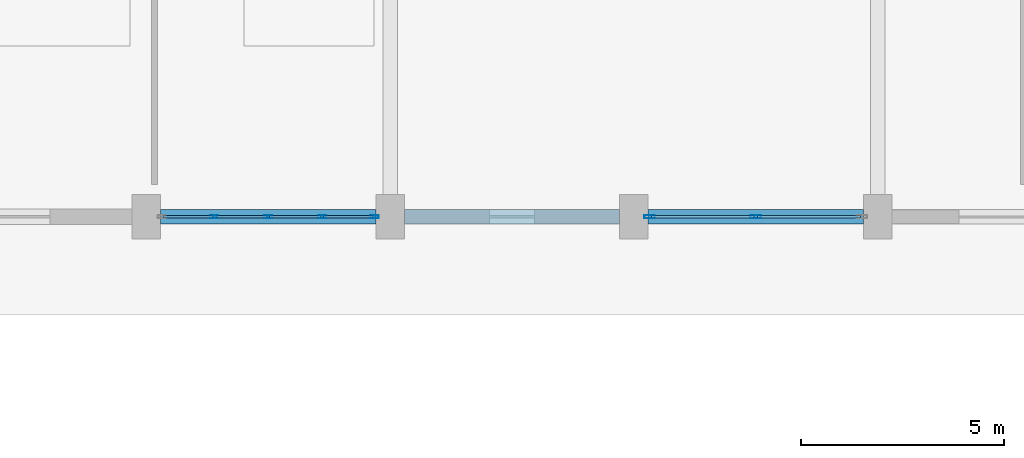
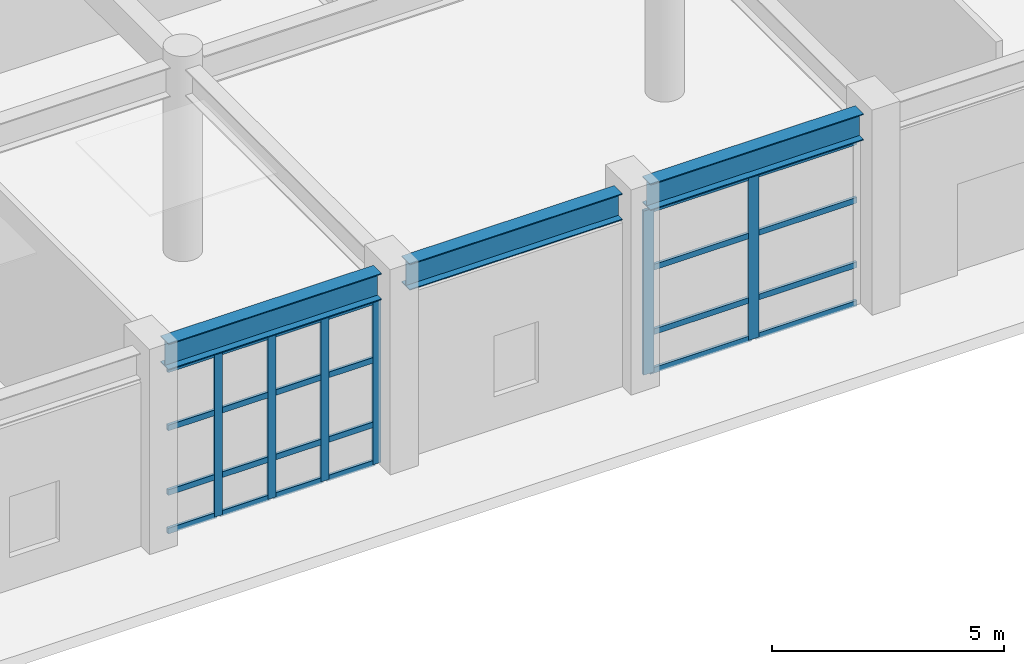
# One storey, part 15 of 91: 30 members, 3 beams, 2 elements without a shape of their own.
"""IFC4 building model written with IfcOpenShell, lengths in metres."""

from ifc_helpers import new_model, si_unit, direction, frame, origin, origin_2d, place, context, subcontext, project, spatial, hollow_rectangle, i_section, extrude, material, layer, layer_set, material_profile, profile_set, type_object, element, aggregate, save


model = new_model("IFC4")

# Units and contexts
model_context = context("Model", 3, precision=1e-05, world=origin(), true_north=direction((0.0, 1.0)))
body_context = subcontext(model_context, "Body", "Model", "MODEL_VIEW")
ifc_project = project(units=[si_unit("LENGTHUNIT", "METRE"), si_unit("AREAUNIT", "SQUARE_METRE"), si_unit("VOLUMEUNIT", "CUBIC_METRE"), si_unit("PLANEANGLEUNIT", "RADIAN"), si_unit("MASSUNIT", "GRAM", prefix="KILO")], contexts=[model_context])

# Site, building, storey
site_placement = place(None, origin())
site = spatial("IfcSite", under=ifc_project, at=site_placement, CompositionType="ELEMENT")
building_placement = place(site_placement, origin())
building = spatial("IfcBuilding", under=site, at=building_placement, Name="Vaelkrest Opera House", CompositionType="ELEMENT")
storey_placement = place(building_placement, origin())
storey = spatial("IfcBuildingStorey", under=building, at=storey_placement, Name="L00", CompositionType="ELEMENT", Elevation=0.0)

# Curtain wall, members
ifc_material_1 = material(Name="Dark bronze anodized aluminium", Category="aluminium")
ifc_layer_1 = layer(ifc_material_1, 0.18994140625)
ifc_layer_set_1 = layer_set([ifc_layer_1], Name="Dark bronze anodized aluminium")
curtain_wall_type_1 = type_object("IfcCurtainWallType", Name="CW02", PredefinedType="NOTDEFINED", material=ifc_layer_set_1)
curtain_wall_1_placement = place(storey_placement, origin())
curtain_wall_1 = element("IfcCurtainWall", 1, at=curtain_wall_1_placement, inside=storey, type_object=curtain_wall_type_1, Name="Curtain wall CW-L00-013", PredefinedType="NOTDEFINED")
ifc_material_profile_1 = material_profile(ifc_material_1, hollow_rectangle(XDim=0.070068359375, YDim=0.199951171875, WallThickness=0.004150390625, at=origin_2d()), Name="CWM70X200")
ifc_profile_set_1 = profile_set([ifc_material_profile_1], Name="Dark bronze anodized aluminium")
member_type_1 = type_object("IfcMemberType", Name="CWM02", PredefinedType="MULLION", material=ifc_profile_set_1)
member_1_placement = place(storey_placement, frame((-18.383056640625, -55.800048828125, 0.0), z_axis=(0.0, 0.0, 1.0), x_axis=(0.0, -1.0, 0.0)))
member_1 = element("IfcMember", 2, at=member_1_placement, type_object=member_type_1, Name="CW02 mullion 1", PredefinedType="MULLION", context=body_context, shape_type="SweptSolid", body=[
    extrude(hollow_rectangle(XDim=0.070068359375, YDim=0.199951171875, WallThickness=0.004150390625, at=origin_2d()), origin(), (0.0, 0.0, 1.0), 4.320068359375),
])
member_2_placement = place(storey_placement, frame((-19.674072265625, -55.800048828125, 0.0), z_axis=(0.0, 0.0, 1.0), x_axis=(0.0, -1.0, 0.0)))
member_2 = element("IfcMember", 3, at=member_2_placement, type_object=member_type_1, Name="CW02 mullion 2", PredefinedType="MULLION", context=body_context, shape_type="SweptSolid", body=[
    extrude(hollow_rectangle(XDim=0.070068359375, YDim=0.199951171875, WallThickness=0.004150390625, at=origin_2d()), origin(), (0.0, 0.0, 1.0), 4.320068359375),
])
member_3_placement = place(storey_placement, frame((-21.0, -55.800048828125, 0.0), z_axis=(0.0, 0.0, 1.0), x_axis=(0.0, -1.0, 0.0)))
member_3 = element("IfcMember", 4, at=member_3_placement, type_object=member_type_1, Name="CW02 mullion 3", PredefinedType="MULLION", context=body_context, shape_type="SweptSolid", body=[
    extrude(hollow_rectangle(XDim=0.070068359375, YDim=0.199951171875, WallThickness=0.004150390625, at=origin_2d()), origin(), (0.0, 0.0, 1.0), 4.320068359375),
])
member_4_placement = place(storey_placement, frame((-22.325927734375, -55.800048828125, 0.0), z_axis=(0.0, 0.0, 1.0), x_axis=(0.0, -1.0, 0.0)))
member_4 = element("IfcMember", 5, at=member_4_placement, type_object=member_type_1, Name="CW02 mullion 4", PredefinedType="MULLION", context=body_context, shape_type="SweptSolid", body=[
    extrude(hollow_rectangle(XDim=0.070068359375, YDim=0.199951171875, WallThickness=0.004150390625, at=origin_2d()), origin(), (0.0, 0.0, 1.0), 4.320068359375),
])

ifc_layer_2 = layer(ifc_material_1, 0.25)
ifc_layer_set_2 = layer_set([ifc_layer_2], Name="Dark bronze anodized aluminium")
curtain_wall_type_2 = type_object("IfcCurtainWallType", Name="CW08", PredefinedType="NOTDEFINED", material=ifc_layer_set_2)
curtain_wall_2_placement = place(storey_placement, origin())
curtain_wall_2 = element("IfcCurtainWall", 6, at=curtain_wall_2_placement, inside=storey, type_object=curtain_wall_type_2, Name="Curtain wall CW-L00-012", PredefinedType="NOTDEFINED")
ifc_material_profile_2 = material_profile(ifc_material_1, hollow_rectangle(XDim=0.080078125, YDim=0.260009765625, WallThickness=0.0048828125, at=origin_2d()), Name="CWM80X260")
ifc_profile_set_2 = profile_set([ifc_material_profile_2], Name="Dark bronze anodized aluminium")
member_type_2 = type_object("IfcMemberType", Name="CWM04", PredefinedType="MULLION", material=ifc_profile_set_2)
member_5_placement = place(storey_placement, frame((-9.0, -55.800048828125, 0.0), z_axis=(0.0, 0.0, 1.0), x_axis=(0.0, -1.0, 0.0)))
member_5 = element("IfcMember", 7, at=member_5_placement, type_object=member_type_2, Name="CW08 mullion 2", PredefinedType="MULLION", context=body_context, shape_type="SweptSolid", body=[
    extrude(hollow_rectangle(XDim=0.080078125, YDim=0.260009765625, WallThickness=0.0048828125, at=origin_2d()), origin(), (0.0, 0.0, 1.0), 4.320068359375),
])
member_6_placement = place(storey_placement, frame((-11.612060546875, -55.800048828125, 0.0), z_axis=(0.0, 0.0, 1.0), x_axis=(0.0, -1.0, 0.0)))
member_6 = element("IfcMember", 8, at=member_6_placement, type_object=member_type_2, Name="CW08 mullion 3", PredefinedType="MULLION", context=body_context, shape_type="SweptSolid", body=[
    extrude(hollow_rectangle(XDim=0.080078125, YDim=0.260009765625, WallThickness=0.0048828125, at=origin_2d()), origin(), (0.0, 0.0, 1.0), 4.320068359375),
])
ifc_material_profile_3 = material_profile(ifc_material_1, hollow_rectangle(XDim=0.070068359375, YDim=0.14990234375, WallThickness=0.004150390625, at=origin_2d()), Name="CWT70X150")
ifc_profile_set_3 = profile_set([ifc_material_profile_3], Name="Dark bronze anodized aluminium")
member_type_3 = type_object("IfcMemberType", Name="CWT02", PredefinedType="USERDEFINED", material=ifc_profile_set_3)
member_7_placement = place(storey_placement, frame((-6.427978515625, -55.800048828125, 0.034912109375), z_axis=(-1.0, 0.0, 0.0), x_axis=(0.0, -1.0, 0.0)))
member_7 = element("IfcMember", 9, at=member_7_placement, type_object=member_type_3, Name="CW08 transom 1.1", ObjectType="TRANSOM", PredefinedType="USERDEFINED", context=body_context, shape_type="SweptSolid", body=[
    extrude(hollow_rectangle(XDim=0.070068359375, YDim=0.14990234375, WallThickness=0.004150390625, at=origin_2d()), origin(), (0.0, 0.0, 1.0), 2.531982421875),
])
member_8_placement = place(storey_placement, frame((-6.427978515625, -55.800048828125, 1.050048828125), z_axis=(-1.0, 0.0, 0.0), x_axis=(0.0, -1.0, 0.0)))
member_8 = element("IfcMember", 10, at=member_8_placement, type_object=member_type_3, Name="CW08 transom 1.2", ObjectType="TRANSOM", PredefinedType="USERDEFINED", context=body_context, shape_type="SweptSolid", body=[
    extrude(hollow_rectangle(XDim=0.070068359375, YDim=0.14990234375, WallThickness=0.004150390625, at=origin_2d()), origin(), (0.0, 0.0, 1.0), 2.531982421875),
])
member_9_placement = place(storey_placement, frame((-6.427978515625, -55.800048828125, 2.75), z_axis=(-1.0, 0.0, 0.0), x_axis=(0.0, -1.0, 0.0)))
member_9 = element("IfcMember", 11, at=member_9_placement, type_object=member_type_3, Name="CW08 transom 1.3", ObjectType="TRANSOM", PredefinedType="USERDEFINED", context=body_context, shape_type="SweptSolid", body=[
    extrude(hollow_rectangle(XDim=0.070068359375, YDim=0.14990234375, WallThickness=0.004150390625, at=origin_2d()), origin(), (0.0, 0.0, 1.0), 2.531982421875),
])
member_10_placement = place(storey_placement, frame((-6.427978515625, -55.800048828125, 4.284912109375), z_axis=(-1.0, 0.0, 0.0), x_axis=(0.0, -1.0, 0.0)))
member_10 = element("IfcMember", 12, at=member_10_placement, type_object=member_type_3, Name="CW08 transom 1.4", ObjectType="TRANSOM", PredefinedType="USERDEFINED", context=body_context, shape_type="SweptSolid", body=[
    extrude(hollow_rectangle(XDim=0.070068359375, YDim=0.14990234375, WallThickness=0.004150390625, at=origin_2d()), origin(), (0.0, 0.0, 1.0), 2.531982421875),
])
member_11_placement = place(storey_placement, frame((-9.0400390625, -55.800048828125, 0.034912109375), z_axis=(-1.0, 0.0, 0.0), x_axis=(0.0, -1.0, 0.0)))
member_11 = element("IfcMember", 13, at=member_11_placement, type_object=member_type_3, Name="CW08 transom 2.1", ObjectType="TRANSOM", PredefinedType="USERDEFINED", context=body_context, shape_type="SweptSolid", body=[
    extrude(hollow_rectangle(XDim=0.070068359375, YDim=0.14990234375, WallThickness=0.004150390625, at=origin_2d()), origin(), (0.0, 0.0, 1.0), 2.531982421875),
])
member_12_placement = place(storey_placement, frame((-9.0400390625, -55.800048828125, 1.050048828125), z_axis=(-1.0, 0.0, 0.0), x_axis=(0.0, -1.0, 0.0)))
member_12 = element("IfcMember", 14, at=member_12_placement, type_object=member_type_3, Name="CW08 transom 2.2", ObjectType="TRANSOM", PredefinedType="USERDEFINED", context=body_context, shape_type="SweptSolid", body=[
    extrude(hollow_rectangle(XDim=0.070068359375, YDim=0.14990234375, WallThickness=0.004150390625, at=origin_2d()), origin(), (0.0, 0.0, 1.0), 2.531982421875),
])
member_13_placement = place(storey_placement, frame((-9.0400390625, -55.800048828125, 2.75), z_axis=(-1.0, 0.0, 0.0), x_axis=(0.0, -1.0, 0.0)))
member_13 = element("IfcMember", 15, at=member_13_placement, type_object=member_type_3, Name="CW08 transom 2.3", ObjectType="TRANSOM", PredefinedType="USERDEFINED", context=body_context, shape_type="SweptSolid", body=[
    extrude(hollow_rectangle(XDim=0.070068359375, YDim=0.14990234375, WallThickness=0.004150390625, at=origin_2d()), origin(), (0.0, 0.0, 1.0), 2.531982421875),
])
member_14_placement = place(storey_placement, frame((-9.0400390625, -55.800048828125, 4.284912109375), z_axis=(-1.0, 0.0, 0.0), x_axis=(0.0, -1.0, 0.0)))
member_14 = element("IfcMember", 16, at=member_14_placement, type_object=member_type_3, Name="CW08 transom 2.4", ObjectType="TRANSOM", PredefinedType="USERDEFINED", context=body_context, shape_type="SweptSolid", body=[
    extrude(hollow_rectangle(XDim=0.070068359375, YDim=0.14990234375, WallThickness=0.004150390625, at=origin_2d()), origin(), (0.0, 0.0, 1.0), 2.531982421875),
])
aggregate(curtain_wall_2, [member_5, member_6, member_7, member_8, member_9, member_10, member_11, member_12, member_13, member_14])

# Member
member_15_placement = place(storey_placement, frame((-18.41796875, -55.800048828125, 0.034912109375), z_axis=(-1.0, 0.0, 0.0), x_axis=(0.0, -1.0, 0.0)))
member_15 = element("IfcMember", 17, at=member_15_placement, type_object=member_type_3, Name="CW02 transom 1.1", ObjectType="TRANSOM", PredefinedType="USERDEFINED", context=body_context, shape_type="SweptSolid", body=[
    extrude(hollow_rectangle(XDim=0.070068359375, YDim=0.14990234375, WallThickness=0.004150390625, at=origin_2d()), origin(), (0.0, 0.0, 1.0), 1.220947265625),
])

member_16_placement = place(storey_placement, frame((-18.41796875, -55.800048828125, 1.050048828125), z_axis=(-1.0, 0.0, 0.0), x_axis=(0.0, -1.0, 0.0)))
member_16 = element("IfcMember", 18, at=member_16_placement, type_object=member_type_3, Name="CW02 transom 1.2", ObjectType="TRANSOM", PredefinedType="USERDEFINED", context=body_context, shape_type="SweptSolid", body=[
    extrude(hollow_rectangle(XDim=0.070068359375, YDim=0.14990234375, WallThickness=0.004150390625, at=origin_2d()), origin(), (0.0, 0.0, 1.0), 1.220947265625),
])

member_17_placement = place(storey_placement, frame((-18.41796875, -55.800048828125, 2.75), z_axis=(-1.0, 0.0, 0.0), x_axis=(0.0, -1.0, 0.0)))
member_17 = element("IfcMember", 19, at=member_17_placement, type_object=member_type_3, Name="CW02 transom 1.3", ObjectType="TRANSOM", PredefinedType="USERDEFINED", context=body_context, shape_type="SweptSolid", body=[
    extrude(hollow_rectangle(XDim=0.070068359375, YDim=0.14990234375, WallThickness=0.004150390625, at=origin_2d()), origin(), (0.0, 0.0, 1.0), 1.220947265625),
])

member_18_placement = place(storey_placement, frame((-18.41796875, -55.800048828125, 4.284912109375), z_axis=(-1.0, 0.0, 0.0), x_axis=(0.0, -1.0, 0.0)))
member_18 = element("IfcMember", 20, at=member_18_placement, type_object=member_type_3, Name="CW02 transom 1.4", ObjectType="TRANSOM", PredefinedType="USERDEFINED", context=body_context, shape_type="SweptSolid", body=[
    extrude(hollow_rectangle(XDim=0.070068359375, YDim=0.14990234375, WallThickness=0.004150390625, at=origin_2d()), origin(), (0.0, 0.0, 1.0), 1.220947265625),
])

member_19_placement = place(storey_placement, frame((-19.708984375, -55.800048828125, 0.034912109375), z_axis=(-1.0, 0.0, 0.0), x_axis=(0.0, -1.0, 0.0)))
member_19 = element("IfcMember", 21, at=member_19_placement, type_object=member_type_3, Name="CW02 transom 2.1", ObjectType="TRANSOM", PredefinedType="USERDEFINED", context=body_context, shape_type="SweptSolid", body=[
    extrude(hollow_rectangle(XDim=0.070068359375, YDim=0.14990234375, WallThickness=0.004150390625, at=origin_2d()), origin(), (0.0, 0.0, 1.0), 1.256103515625),
])

member_20_placement = place(storey_placement, frame((-19.708984375, -55.800048828125, 1.050048828125), z_axis=(-1.0, 0.0, 0.0), x_axis=(0.0, -1.0, 0.0)))
member_20 = element("IfcMember", 22, at=member_20_placement, type_object=member_type_3, Name="CW02 transom 2.2", ObjectType="TRANSOM", PredefinedType="USERDEFINED", context=body_context, shape_type="SweptSolid", body=[
    extrude(hollow_rectangle(XDim=0.070068359375, YDim=0.14990234375, WallThickness=0.004150390625, at=origin_2d()), origin(), (0.0, 0.0, 1.0), 1.256103515625),
])

member_21_placement = place(storey_placement, frame((-19.708984375, -55.800048828125, 2.75), z_axis=(-1.0, 0.0, 0.0), x_axis=(0.0, -1.0, 0.0)))
member_21 = element("IfcMember", 23, at=member_21_placement, type_object=member_type_3, Name="CW02 transom 2.3", ObjectType="TRANSOM", PredefinedType="USERDEFINED", context=body_context, shape_type="SweptSolid", body=[
    extrude(hollow_rectangle(XDim=0.070068359375, YDim=0.14990234375, WallThickness=0.004150390625, at=origin_2d()), origin(), (0.0, 0.0, 1.0), 1.256103515625),
])

member_22_placement = place(storey_placement, frame((-19.708984375, -55.800048828125, 4.284912109375), z_axis=(-1.0, 0.0, 0.0), x_axis=(0.0, -1.0, 0.0)))
member_22 = element("IfcMember", 24, at=member_22_placement, type_object=member_type_3, Name="CW02 transom 2.4", ObjectType="TRANSOM", PredefinedType="USERDEFINED", context=body_context, shape_type="SweptSolid", body=[
    extrude(hollow_rectangle(XDim=0.070068359375, YDim=0.14990234375, WallThickness=0.004150390625, at=origin_2d()), origin(), (0.0, 0.0, 1.0), 1.256103515625),
])

member_23_placement = place(storey_placement, frame((-21.034912109375, -55.800048828125, 0.034912109375), z_axis=(-1.0, 0.0, 0.0), x_axis=(0.0, -1.0, 0.0)))
member_23 = element("IfcMember", 25, at=member_23_placement, type_object=member_type_3, Name="CW02 transom 3.1", ObjectType="TRANSOM", PredefinedType="USERDEFINED", context=body_context, shape_type="SweptSolid", body=[
    extrude(hollow_rectangle(XDim=0.070068359375, YDim=0.14990234375, WallThickness=0.004150390625, at=origin_2d()), origin(), (0.0, 0.0, 1.0), 1.256103515625),
])

member_24_placement = place(storey_placement, frame((-21.034912109375, -55.800048828125, 1.050048828125), z_axis=(-1.0, 0.0, 0.0), x_axis=(0.0, -1.0, 0.0)))
member_24 = element("IfcMember", 26, at=member_24_placement, type_object=member_type_3, Name="CW02 transom 3.2", ObjectType="TRANSOM", PredefinedType="USERDEFINED", context=body_context, shape_type="SweptSolid", body=[
    extrude(hollow_rectangle(XDim=0.070068359375, YDim=0.14990234375, WallThickness=0.004150390625, at=origin_2d()), origin(), (0.0, 0.0, 1.0), 1.256103515625),
])

member_25_placement = place(storey_placement, frame((-21.034912109375, -55.800048828125, 2.75), z_axis=(-1.0, 0.0, 0.0), x_axis=(0.0, -1.0, 0.0)))
member_25 = element("IfcMember", 27, at=member_25_placement, type_object=member_type_3, Name="CW02 transom 3.3", ObjectType="TRANSOM", PredefinedType="USERDEFINED", context=body_context, shape_type="SweptSolid", body=[
    extrude(hollow_rectangle(XDim=0.070068359375, YDim=0.14990234375, WallThickness=0.004150390625, at=origin_2d()), origin(), (0.0, 0.0, 1.0), 1.256103515625),
])

member_26_placement = place(storey_placement, frame((-21.034912109375, -55.800048828125, 4.284912109375), z_axis=(-1.0, 0.0, 0.0), x_axis=(0.0, -1.0, 0.0)))
member_26 = element("IfcMember", 28, at=member_26_placement, type_object=member_type_3, Name="CW02 transom 3.4", ObjectType="TRANSOM", PredefinedType="USERDEFINED", context=body_context, shape_type="SweptSolid", body=[
    extrude(hollow_rectangle(XDim=0.070068359375, YDim=0.14990234375, WallThickness=0.004150390625, at=origin_2d()), origin(), (0.0, 0.0, 1.0), 1.256103515625),
])

member_27_placement = place(storey_placement, frame((-22.361083984375, -55.800048828125, 0.034912109375), z_axis=(-1.0, 0.0, 0.0), x_axis=(0.0, -1.0, 0.0)))
member_27 = element("IfcMember", 29, at=member_27_placement, type_object=member_type_3, Name="CW02 transom 4.1", ObjectType="TRANSOM", PredefinedType="USERDEFINED", context=body_context, shape_type="SweptSolid", body=[
    extrude(hollow_rectangle(XDim=0.070068359375, YDim=0.14990234375, WallThickness=0.004150390625, at=origin_2d()), origin(), (0.0, 0.0, 1.0), 1.220947265625),
])

member_28_placement = place(storey_placement, frame((-22.361083984375, -55.800048828125, 1.050048828125), z_axis=(-1.0, 0.0, 0.0), x_axis=(0.0, -1.0, 0.0)))
member_28 = element("IfcMember", 30, at=member_28_placement, type_object=member_type_3, Name="CW02 transom 4.2", ObjectType="TRANSOM", PredefinedType="USERDEFINED", context=body_context, shape_type="SweptSolid", body=[
    extrude(hollow_rectangle(XDim=0.070068359375, YDim=0.14990234375, WallThickness=0.004150390625, at=origin_2d()), origin(), (0.0, 0.0, 1.0), 1.220947265625),
])

member_29_placement = place(storey_placement, frame((-22.361083984375, -55.800048828125, 2.75), z_axis=(-1.0, 0.0, 0.0), x_axis=(0.0, -1.0, 0.0)))
member_29 = element("IfcMember", 31, at=member_29_placement, type_object=member_type_3, Name="CW02 transom 4.3", ObjectType="TRANSOM", PredefinedType="USERDEFINED", context=body_context, shape_type="SweptSolid", body=[
    extrude(hollow_rectangle(XDim=0.070068359375, YDim=0.14990234375, WallThickness=0.004150390625, at=origin_2d()), origin(), (0.0, 0.0, 1.0), 1.220947265625),
])

member_30_placement = place(storey_placement, frame((-22.361083984375, -55.800048828125, 4.284912109375), z_axis=(-1.0, 0.0, 0.0), x_axis=(0.0, -1.0, 0.0)))
member_30 = element("IfcMember", 32, at=member_30_placement, type_object=member_type_3, Name="CW02 transom 4.4", ObjectType="TRANSOM", PredefinedType="USERDEFINED", context=body_context, shape_type="SweptSolid", body=[
    extrude(hollow_rectangle(XDim=0.070068359375, YDim=0.14990234375, WallThickness=0.004150390625, at=origin_2d()), origin(), (0.0, 0.0, 1.0), 1.220947265625),
])

aggregate(curtain_wall_1, [member_1, member_2, member_3, member_4, member_15, member_16, member_17, member_18, member_19, member_20, member_21, member_22, member_23, member_24, member_25, member_26, member_27, member_28, member_29, member_30])

# Beams
ifc_material_2 = material(Name="Steel A992 Gr50", Category="steel")
ifc_material_profile_4 = material_profile(ifc_material_2, i_section(OverallWidth=0.35498046875, OverallDepth=0.695068359375, WebThickness=0.015380859375, FlangeThickness=0.02490234375, at=origin_2d()), Name="W27X146")
ifc_profile_set_4 = profile_set([ifc_material_profile_4], Name="Steel A992 Gr50")
beam_type = type_object("IfcBeamType", Name="SP02", PredefinedType="SPANDREL", material=ifc_profile_set_4)
for number, where, z_axis, x_axis, name in (
    (33, (-23.64990234375, -55.800048828125, 4.732421875), (1.0, 0.0, 0.0), (0.0, 1.0, 0.0), "Beam BM-V1-L00-0086"),
    (34, (-17.64990234375, -55.800048828125, 4.732421875), (1.0, 0.0, 0.0), (0.0, 1.0, 0.0), "Beam BM-V1-L00-0087"),
    (35, (-11.64990234375, -55.800048828125, 4.732421875), (1.0, 0.0, 0.0), (0.0, 1.0, 0.0), "Beam BM-V1-L00-0088"),
):
    element("IfcBeam", number, at=place(storey_placement, frame(where, z_axis=z_axis, x_axis=x_axis)), inside=storey, type_object=beam_type, Name=name, PredefinedType="SPANDREL", context=body_context, shape_type="SweptSolid", body=[
        extrude(i_section(OverallWidth=0.35498046875, OverallDepth=0.695068359375, WebThickness=0.015380859375, FlangeThickness=0.02490234375, at=origin_2d()), origin(), (0.0, 0.0, 1.0), 5.2998046875),
    ])

save(model, "model.ifc")
